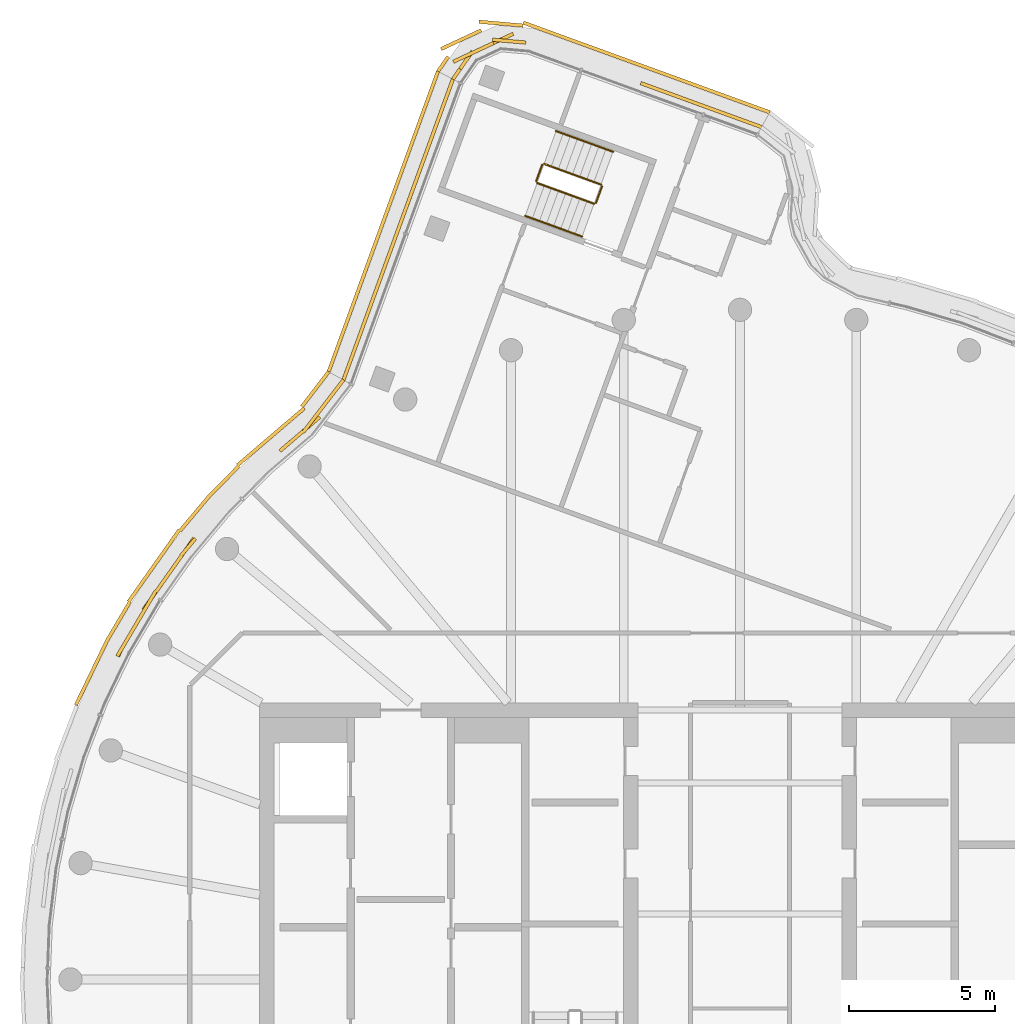
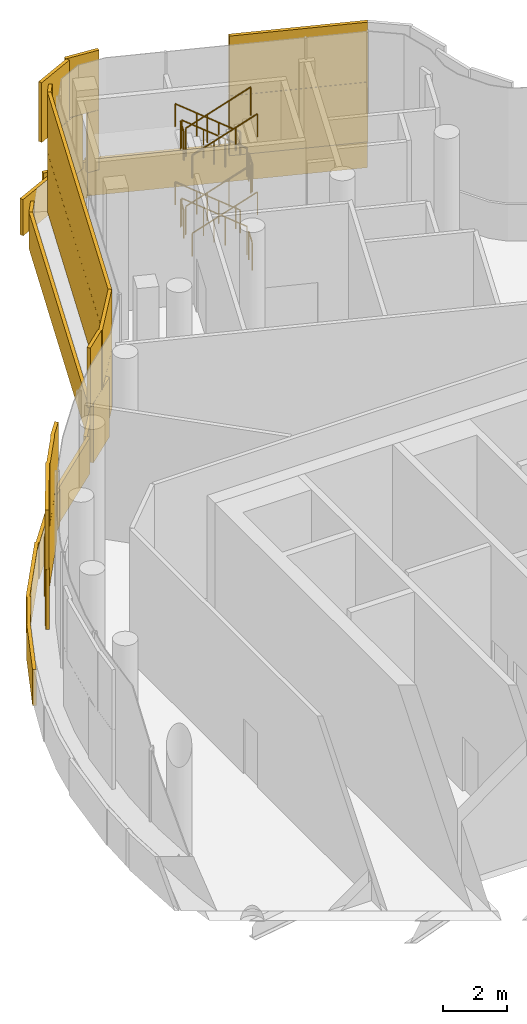
# One storey, part 17 of 18: 12 railings, 3 coverings.
"""IFC4 building model written with IfcOpenShell, lengths in metres."""

from ifc_helpers import new_model, si_unit, direction, frame, origin, origin_2d, place, context, subcontext, project, spatial, rectangle, circle, extrude, material, layer, layer_set, type_object, element, save


model = new_model("IFC4")

# Units and contexts
model_context = context("Model", 3, precision=1e-05, world=origin(), true_north=direction((0.0, 1.0)))
body_context = subcontext(model_context, "Body", "Model", "MODEL_VIEW")
ifc_project = project(units=[si_unit("LENGTHUNIT", "METRE"), si_unit("AREAUNIT", "SQUARE_METRE"), si_unit("VOLUMEUNIT", "CUBIC_METRE"), si_unit("PLANEANGLEUNIT", "RADIAN"), si_unit("MASSUNIT", "GRAM", prefix="KILO")], contexts=[model_context])

# Site, building, storey
site_placement = place(None, origin())
site = spatial("IfcSite", under=ifc_project, at=site_placement, CompositionType="ELEMENT")
building_placement = place(site_placement, origin())
building = spatial("IfcBuilding", under=site, at=building_placement, Name="Tamarind Cross Interchange Tower", CompositionType="ELEMENT")
storey_placement = place(building_placement, frame((0.0, 0.0, 299.39990234375)))
storey = spatial("IfcBuildingStorey", under=building, at=storey_placement, Name="L74", CompositionType="ELEMENT", Elevation=299.39990234375)

# Railings
ifc_material_1 = material(Name="Stair guard")
railing_type_1 = type_object("IfcRailingType", Name="Stair guard", PredefinedType="GUARDRAIL", material=ifc_material_1)
railing_1_placement = place(storey_placement, frame((-4.7744140625, 27.302490234375, 0.166748046875)))
element("IfcRailing", 1, at=railing_1_placement, inside=storey, type_object=railing_type_1, Name="L74 ST4 stair guard 1", PredefinedType="GUARDRAIL", context=body_context, shape_type="SweptSolid", body=[
    extrude(circle(Radius=0.02392578125, at=origin_2d()), frame((0.0, 0.0, 1.076171875), z_axis=(-0.791123895498, 0.287950915748, 0.539636221998), x_axis=(-0.342025771609, -0.939690572239, 0.0)), (0.0, 0.0, 1.0), 2.470703125),
    extrude(circle(Radius=0.02099609375, at=origin_2d()), origin(), (0.0, 0.0, 1.0), 1.052001953125),
    extrude(circle(Radius=0.02099609375, at=origin_2d()), frame((-0.651611328125, 0.237060546875, 0.4443359375)), (0.0, 0.0, 1.0), 1.052001953125),
    extrude(circle(Radius=0.02099609375, at=origin_2d()), frame((-1.302978515625, 0.474365234375, 0.888916015625)), (0.0, 0.0, 1.0), 1.052001953125),
    extrude(circle(Radius=0.02099609375, at=origin_2d()), frame((-1.95458984375, 0.71142578125, 1.333251953125)), (0.0, 0.0, 1.0), 1.052001953125),
])
railing_2_placement = place(storey_placement, frame((-6.793212890625, 27.984130859375, 1.5)))
element("IfcRailing", 2, at=railing_2_placement, inside=storey, type_object=railing_type_1, Name="L74 ST4 stair guard 2", PredefinedType="GUARDRAIL", context=body_context, shape_type="SweptSolid", body=[
    extrude(circle(Radius=0.02392578125, at=origin_2d()), frame((0.0, 0.0, 1.076171875), z_axis=(-0.341743063087, -0.939793423488, 0.0), x_axis=(0.939793423488, -0.341743063087, 0.0)), (0.0, 0.0, 1.0), 0.60009765625),
    extrude(circle(Radius=0.02099609375, at=origin_2d()), origin(), (0.0, 0.0, 1.0), 1.052001953125),
    extrude(circle(Radius=0.02099609375, at=origin_2d()), frame((-0.205078125, -0.56396484375, 0.0)), (0.0, 0.0, 1.0), 1.052001953125),
])
railing_3_placement = place(storey_placement, frame((-6.968505859375, 27.356201171875, 1.666748046875)))
element("IfcRailing", 3, at=railing_3_placement, inside=storey, type_object=railing_type_1, Name="L74 ST4 stair guard 3", PredefinedType="GUARDRAIL", context=body_context, shape_type="SweptSolid", body=[
    extrude(circle(Radius=0.02392578125, at=origin_2d()), frame((0.0, 0.0, 1.076171875), z_axis=(0.791123895498, -0.287950915748, 0.539636221998), x_axis=(0.342025771609, 0.939690572239, 0.0)), (0.0, 0.0, 1.0), 2.470703125),
    extrude(circle(Radius=0.02099609375, at=origin_2d()), origin(), (0.0, 0.0, 1.0), 1.052001953125),
    extrude(circle(Radius=0.02099609375, at=origin_2d()), frame((0.651611328125, -0.237060546875, 0.4443359375)), (0.0, 0.0, 1.0), 1.052001953125),
    extrude(circle(Radius=0.02099609375, at=origin_2d()), frame((1.302978515625, -0.474365234375, 0.888916015625)), (0.0, 0.0, 1.0), 1.052001953125),
    extrude(circle(Radius=0.02099609375, at=origin_2d()), frame((1.95458984375, -0.71142578125, 1.333251953125)), (0.0, 0.0, 1.0), 1.052001953125),
])
railing_4_placement = place(storey_placement, frame((-4.74462890625, 27.238525390625, 3.0)))
element("IfcRailing", 4, at=railing_4_placement, inside=storey, type_object=railing_type_1, Name="L74 ST4 stair guard 4", PredefinedType="GUARDRAIL", context=body_context, shape_type="SweptSolid", body=[
    extrude(circle(Radius=0.02392578125, at=origin_2d()), frame((0.0, 0.0, 1.076171875), z_axis=(-0.341743063087, -0.939793423488, 0.0), x_axis=(0.939793423488, -0.341743063087, 0.0)), (0.0, 0.0, 1.0), 0.60009765625),
    extrude(circle(Radius=0.02099609375, at=origin_2d()), origin(), (0.0, 0.0, 1.0), 1.052001953125),
    extrude(circle(Radius=0.02099609375, at=origin_2d()), frame((-0.205078125, -0.56396484375, 0.0)), (0.0, 0.0, 1.0), 1.052001953125),
])
railing_5_placement = place(storey_placement, frame((-4.7744140625, 27.302490234375, 3.166748046875)))
element("IfcRailing", 5, at=railing_5_placement, inside=storey, type_object=railing_type_1, Name="L74 ST4 stair guard 5", PredefinedType="GUARDRAIL", context=body_context, shape_type="SweptSolid", body=[
    extrude(circle(Radius=0.02392578125, at=origin_2d()), frame((0.0, 0.0, 1.076171875), z_axis=(-0.791123895498, 0.287950915748, 0.539636221998), x_axis=(-0.342025771609, -0.939690572239, 0.0)), (0.0, 0.0, 1.0), 2.470703125),
    extrude(circle(Radius=0.02099609375, at=origin_2d()), origin(), (0.0, 0.0, 1.0), 1.052001953125),
    extrude(circle(Radius=0.02099609375, at=origin_2d()), frame((-0.651611328125, 0.237060546875, 0.4443359375)), (0.0, 0.0, 1.0), 1.052001953125),
    extrude(circle(Radius=0.02099609375, at=origin_2d()), frame((-1.302978515625, 0.474365234375, 0.888916015625)), (0.0, 0.0, 1.0), 1.052001953125),
    extrude(circle(Radius=0.02099609375, at=origin_2d()), frame((-1.95458984375, 0.71142578125, 1.333251953125)), (0.0, 0.0, 1.0), 1.052001953125),
])
railing_6_placement = place(storey_placement, frame((-6.793212890625, 27.984130859375, 4.5)))
element("IfcRailing", 6, at=railing_6_placement, inside=storey, type_object=railing_type_1, Name="L74 ST4 stair guard 6", PredefinedType="GUARDRAIL", context=body_context, shape_type="SweptSolid", body=[
    extrude(circle(Radius=0.02392578125, at=origin_2d()), frame((0.0, 0.0, 1.076171875), z_axis=(-0.341743063087, -0.939793423488, 0.0), x_axis=(0.939793423488, -0.341743063087, 0.0)), (0.0, 0.0, 1.0), 0.60009765625),
    extrude(circle(Radius=0.02099609375, at=origin_2d()), origin(), (0.0, 0.0, 1.0), 1.052001953125),
    extrude(circle(Radius=0.02099609375, at=origin_2d()), frame((-0.205078125, -0.56396484375, 0.0)), (0.0, 0.0, 1.0), 1.052001953125),
])
railing_7_placement = place(storey_placement, frame((-6.968505859375, 27.356201171875, 4.666748046875)))
element("IfcRailing", 7, at=railing_7_placement, inside=storey, type_object=railing_type_1, Name="L74 ST4 stair guard 7", PredefinedType="GUARDRAIL", context=body_context, shape_type="SweptSolid", body=[
    extrude(circle(Radius=0.02392578125, at=origin_2d()), frame((0.0, 0.0, 1.076171875), z_axis=(0.791123895498, -0.287950915748, 0.539636221998), x_axis=(0.342025771609, 0.939690572239, 0.0)), (0.0, 0.0, 1.0), 2.470703125),
    extrude(circle(Radius=0.02099609375, at=origin_2d()), origin(), (0.0, 0.0, 1.0), 1.052001953125),
    extrude(circle(Radius=0.02099609375, at=origin_2d()), frame((0.651611328125, -0.237060546875, 0.4443359375)), (0.0, 0.0, 1.0), 1.052001953125),
    extrude(circle(Radius=0.02099609375, at=origin_2d()), frame((1.302978515625, -0.474365234375, 0.888916015625)), (0.0, 0.0, 1.0), 1.052001953125),
    extrude(circle(Radius=0.02099609375, at=origin_2d()), frame((1.95458984375, -0.71142578125, 1.333251953125)), (0.0, 0.0, 1.0), 1.052001953125),
])
railing_8_placement = place(storey_placement, frame((-4.74462890625, 27.238525390625, 0.0)))
element("IfcRailing", 8, at=railing_8_placement, inside=storey, type_object=railing_type_1, Name="L74 ST4 stair guard 8", PredefinedType="GUARDRAIL", context=body_context, shape_type="SweptSolid", body=[
    extrude(circle(Radius=0.02392578125, at=origin_2d()), frame((0.0, 0.0, 1.076171875), z_axis=(-0.341743063087, -0.939793423488, 0.0), x_axis=(0.939793423488, -0.341743063087, 0.0)), (0.0, 0.0, 1.0), 0.60009765625),
    extrude(circle(Radius=0.02099609375, at=origin_2d()), origin(), (0.0, 0.0, 1.0), 1.052001953125),
    extrude(circle(Radius=0.02099609375, at=origin_2d()), frame((-0.205078125, -0.56396484375, 0.0)), (0.0, 0.0, 1.0), 1.052001953125),
])
ifc_material_2 = material(Name="Stair handrail")
railing_type_2 = type_object("IfcRailingType", Name="Stair handrail", PredefinedType="HANDRAIL", material=ifc_material_2)
railing_9_placement = place(storey_placement, frame((-4.364013671875, 28.43017578125, 0.166748046875)))
element("IfcRailing", 9, at=railing_9_placement, inside=storey, type_object=railing_type_2, Name="L74 ST4 stair handrail 1", PredefinedType="HANDRAIL", context=body_context, shape_type="SweptSolid", body=[
    extrude(circle(Radius=0.02392578125, at=origin_2d()), frame((0.0, 0.0, 0.8759765625), z_axis=(-0.791123895498, 0.287950915748, 0.539636221998), x_axis=(-0.342025771609, -0.939690572239, 0.0)), (0.0, 0.0, 1.0), 2.470703125),
    extrude(circle(Radius=0.02099609375, at=origin_2d()), origin(), (0.0, 0.0, 1.0), 0.851806640625),
    extrude(circle(Radius=0.02099609375, at=origin_2d()), frame((-0.651611328125, 0.237060546875, 0.4443359375)), (0.0, 0.0, 1.0), 0.851806640625),
    extrude(circle(Radius=0.02099609375, at=origin_2d()), frame((-1.302978515625, 0.474365234375, 0.888916015625)), (0.0, 0.0, 1.0), 0.851806640625),
    extrude(circle(Radius=0.02099609375, at=origin_2d()), frame((-1.95458984375, 0.71142578125, 1.333251953125)), (0.0, 0.0, 1.0), 0.851806640625),
])
railing_10_placement = place(storey_placement, frame((-7.37890625, 26.228515625, 1.666748046875)))
element("IfcRailing", 10, at=railing_10_placement, inside=storey, type_object=railing_type_2, Name="L74 ST4 stair handrail 2", PredefinedType="HANDRAIL", context=body_context, shape_type="SweptSolid", body=[
    extrude(circle(Radius=0.02392578125, at=origin_2d()), frame((0.0, 0.0, 0.8759765625), z_axis=(0.791123895498, -0.287950915748, 0.539636221998), x_axis=(0.342025771609, 0.939690572239, 0.0)), (0.0, 0.0, 1.0), 2.470703125),
    extrude(circle(Radius=0.02099609375, at=origin_2d()), origin(), (0.0, 0.0, 1.0), 0.851806640625),
    extrude(circle(Radius=0.02099609375, at=origin_2d()), frame((0.651611328125, -0.237060546875, 0.4443359375)), (0.0, 0.0, 1.0), 0.851806640625),
    extrude(circle(Radius=0.02099609375, at=origin_2d()), frame((1.302978515625, -0.474365234375, 0.888916015625)), (0.0, 0.0, 1.0), 0.851806640625),
    extrude(circle(Radius=0.02099609375, at=origin_2d()), frame((1.95458984375, -0.71142578125, 1.333251953125)), (0.0, 0.0, 1.0), 0.851806640625),
])
railing_11_placement = place(storey_placement, frame((-4.364013671875, 28.43017578125, 3.166748046875)))
element("IfcRailing", 11, at=railing_11_placement, inside=storey, type_object=railing_type_2, Name="L74 ST4 stair handrail 3", PredefinedType="HANDRAIL", context=body_context, shape_type="SweptSolid", body=[
    extrude(circle(Radius=0.02392578125, at=origin_2d()), frame((0.0, 0.0, 0.8759765625), z_axis=(-0.791123895498, 0.287950915748, 0.539636221998), x_axis=(-0.342025771609, -0.939690572239, 0.0)), (0.0, 0.0, 1.0), 2.470703125),
    extrude(circle(Radius=0.02099609375, at=origin_2d()), origin(), (0.0, 0.0, 1.0), 0.851806640625),
    extrude(circle(Radius=0.02099609375, at=origin_2d()), frame((-0.651611328125, 0.237060546875, 0.4443359375)), (0.0, 0.0, 1.0), 0.851806640625),
    extrude(circle(Radius=0.02099609375, at=origin_2d()), frame((-1.302978515625, 0.474365234375, 0.888916015625)), (0.0, 0.0, 1.0), 0.851806640625),
    extrude(circle(Radius=0.02099609375, at=origin_2d()), frame((-1.95458984375, 0.71142578125, 1.333251953125)), (0.0, 0.0, 1.0), 0.851806640625),
])
railing_12_placement = place(storey_placement, frame((-7.37890625, 26.228515625, 4.666748046875)))
element("IfcRailing", 12, at=railing_12_placement, inside=storey, type_object=railing_type_2, Name="L74 ST4 stair handrail 4", PredefinedType="HANDRAIL", context=body_context, shape_type="SweptSolid", body=[
    extrude(circle(Radius=0.02392578125, at=origin_2d()), frame((0.0, 0.0, 0.8759765625), z_axis=(0.791123895498, -0.287950915748, 0.539636221998), x_axis=(0.342025771609, 0.939690572239, 0.0)), (0.0, 0.0, 1.0), 2.470703125),
    extrude(circle(Radius=0.02099609375, at=origin_2d()), origin(), (0.0, 0.0, 1.0), 0.851806640625),
    extrude(circle(Radius=0.02099609375, at=origin_2d()), frame((0.651611328125, -0.237060546875, 0.4443359375)), (0.0, 0.0, 1.0), 0.851806640625),
    extrude(circle(Radius=0.02099609375, at=origin_2d()), frame((1.302978515625, -0.474365234375, 0.888916015625)), (0.0, 0.0, 1.0), 0.851806640625),
    extrude(circle(Radius=0.02099609375, at=origin_2d()), frame((1.95458984375, -0.71142578125, 1.333251953125)), (0.0, 0.0, 1.0), 0.851806640625),
])

# Coverings
ifc_material_3 = material(Name="Terracotta", Category="masonry")
ifc_layer = layer(ifc_material_3, 0.1201171875)
ifc_layer_set = layer_set([ifc_layer], Name="Terracotta")
covering_type = type_object("IfcCoveringType", Name="Terracotta baguette screen unit", PredefinedType="MOLDING", material=ifc_layer_set)
covering_1_placement = place(storey_placement, origin())
element("IfcCovering", 13, at=covering_1_placement, inside=storey, type_object=covering_type, Name="SCR-L74-00-00", PredefinedType="MOLDING", context=body_context, shape_type="SweptSolid", body=[
    extrude(rectangle(XDim=1.510009765625, YDim=0.1201171875, at=origin_2d()), frame((0.032470703125, 29.533203125, 1.404052734375), z_axis=(0.0, 0.0, 1.0), x_axis=(-0.939702171424, 0.341993902024, 0.0)), (0.0, 0.0, 1.0), 2.2919921875),
    extrude(rectangle(XDim=1.52001953125, YDim=0.1201171875, at=origin_2d()), frame((-1.377197265625, 30.046142578125, 1.404052734375), z_axis=(0.0, 0.0, 1.0), x_axis=(-0.939702171424, 0.341993902024, 0.0)), (0.0, 0.0, 1.0), 2.2919921875),
    extrude(rectangle(XDim=1.419921875, YDim=0.1201171875, at=origin_2d()), frame((-2.744384765625, 30.543701171875, 1.404052734375), z_axis=(0.0, 0.0, 1.0), x_axis=(-0.939702171424, 0.341993902024, 0.0)), (0.0, 0.0, 1.0), 2.2919921875),
    extrude(rectangle(XDim=0.39990234375, YDim=0.1201171875, at=origin_2d()), frame((-7.55712890625, 32.1962890625, 1.404052734375), z_axis=(0.0, 0.0, 1.0), x_axis=(-0.996197131551, 0.08712792371, 0.0)), (0.0, 0.0, 1.0), 2.2919921875),
    extrude(rectangle(XDim=1.52001953125, YDim=0.1201171875, at=origin_2d()), frame((-8.4775390625, 32.159423828125, 1.404052734375), z_axis=(0.0, 0.0, 1.0), x_axis=(-0.906295984955, -0.422643570464, 0.0)), (0.0, 0.0, 1.0), 2.2919921875),
    extrude(rectangle(XDim=1.18115234375, YDim=0.1201171875, at=origin_2d()), frame((-9.5263671875, 31.40234375, 1.404052734375), z_axis=(0.0, 0.0, 1.0), x_axis=(-0.573553561087, -0.819168061245, 0.0)), (0.0, 0.0, 1.0), 2.2919921875),
    extrude(rectangle(XDim=0.760009765625, YDim=0.1201171875, at=origin_2d()), frame((0.384765625, 29.40478515625, 3.7041015625), z_axis=(0.0, 0.0, 1.0), x_axis=(-0.939702171424, 0.341993902024, 0.0)), (0.0, 0.0, 1.0), 2.2919921875),
    extrude(rectangle(XDim=1.52001953125, YDim=0.1201171875, at=origin_2d()), frame((-0.67236328125, 29.78955078125, 3.7041015625), z_axis=(0.0, 0.0, 1.0), x_axis=(-0.939702171424, 0.341993902024, 0.0)), (0.0, 0.0, 1.0), 2.2919921875),
    extrude(rectangle(XDim=1.52001953125, YDim=0.1201171875, at=origin_2d()), frame((-2.081787109375, 30.302734375, 3.7041015625), z_axis=(0.0, 0.0, 1.0), x_axis=(-0.939702171424, 0.341993902024, 0.0)), (0.0, 0.0, 1.0), 2.2919921875),
    extrude(rectangle(XDim=0.669921875, YDim=0.1201171875, at=origin_2d()), frame((-3.0966796875, 30.671875, 3.7041015625), z_axis=(0.0, 0.0, 1.0), x_axis=(-0.939702171424, 0.341993902024, 0.0)), (0.0, 0.0, 1.0), 2.2919921875),
    extrude(rectangle(XDim=1.14990234375, YDim=0.1201171875, at=origin_2d()), frame((-7.9306640625, 32.228759765625, 3.7041015625), z_axis=(0.0, 0.0, 1.0), x_axis=(-0.996197131551, 0.08712792371, 0.0)), (0.0, 0.0, 1.0), 2.2919921875),
    extrude(rectangle(XDim=1.52001953125, YDim=0.1201171875, at=origin_2d()), frame((-9.1572265625, 31.842529296875, 3.7041015625), z_axis=(0.0, 0.0, 1.0), x_axis=(-0.906295984955, -0.422643570464, 0.0)), (0.0, 0.0, 1.0), 2.2919921875),
    extrude(rectangle(XDim=0.43115234375, YDim=0.1201171875, at=origin_2d()), frame((-9.741455078125, 31.09521484375, 3.7041015625), z_axis=(0.0, 0.0, 1.0), x_axis=(-0.573553561087, -0.819168061245, 0.0)), (0.0, 0.0, 1.0), 2.2919921875),
    extrude(rectangle(XDim=1.510009765625, YDim=0.1201171875, at=origin_2d()), frame((0.3115234375, 30.04248046875, 0.004150390625), z_axis=(0.0, 0.0, 1.0), x_axis=(-0.939702171424, 0.341993902024, 0.0)), (0.0, 0.0, 1.0), 1.39208984375),
    extrude(rectangle(XDim=1.52001953125, YDim=0.1201171875, at=origin_2d()), frame((-1.093505859375, 30.5537109375, 0.004150390625), z_axis=(0.0, 0.0, 1.0), x_axis=(-0.939702171424, 0.341993902024, 0.0)), (0.0, 0.0, 1.0), 1.39208984375),
    extrude(rectangle(XDim=1.52001953125, YDim=0.1201171875, at=origin_2d()), frame((-2.5029296875, 31.066650390625, 0.004150390625), z_axis=(0.0, 0.0, 1.0), x_axis=(-0.939702171424, 0.341993902024, 0.0)), (0.0, 0.0, 1.0), 1.39208984375),
    extrude(rectangle(XDim=1.52001953125, YDim=0.1201171875, at=origin_2d()), frame((-3.91259765625, 31.57958984375, 0.004150390625), z_axis=(0.0, 0.0, 1.0), x_axis=(-0.939702171424, 0.341993902024, 0.0)), (0.0, 0.0, 1.0), 1.39208984375),
    extrude(rectangle(XDim=1.52001953125, YDim=0.1201171875, at=origin_2d()), frame((-5.322021484375, 32.0927734375, 0.004150390625), z_axis=(0.0, 0.0, 1.0), x_axis=(-0.939702171424, 0.341993902024, 0.0)), (0.0, 0.0, 1.0), 1.39208984375),
    extrude(rectangle(XDim=1.52001953125, YDim=0.1201171875, at=origin_2d()), frame((-6.731689453125, 32.605712890625, 0.004150390625), z_axis=(0.0, 0.0, 1.0), x_axis=(-0.939702171424, 0.341993902024, 0.0)), (0.0, 0.0, 1.0), 1.39208984375),
    extrude(rectangle(XDim=1.52001953125, YDim=0.1201171875, at=origin_2d()), frame((-8.205322265625, 32.8291015625, 0.004150390625), z_axis=(0.0, 0.0, 1.0), x_axis=(-0.996197131551, 0.08712792371, 0.0)), (0.0, 0.0, 1.0), 1.39208984375),
    extrude(rectangle(XDim=1.52001953125, YDim=0.1201171875, at=origin_2d()), frame((-9.57958984375, 32.27880859375, 0.004150390625), z_axis=(0.0, 0.0, 1.0), x_axis=(-0.906295984955, -0.422643570464, 0.0)), (0.0, 0.0, 1.0), 1.39208984375),
    extrude(rectangle(XDim=0.615966796875, YDim=0.1201171875, at=origin_2d()), frame((-10.19921875, 31.4423828125, 0.004150390625), z_axis=(0.0, 0.0, 1.0), x_axis=(-0.573553561087, -0.819168061245, 0.0)), (0.0, 0.0, 1.0), 1.39208984375),
])
covering_2_placement = place(storey_placement, origin())
element("IfcCovering", 14, at=covering_2_placement, inside=storey, type_object=covering_type, Name="SCR-L74-01-00", PredefinedType="MOLDING", context=body_context, shape_type="SweptSolid", body=[
    extrude(rectangle(XDim=1.510009765625, YDim=0.1201171875, at=origin_2d()), frame((-10.11865234375, 30.218017578125, 1.404052734375), z_axis=(0.0, 0.0, 1.0), x_axis=(-0.341993902024, -0.939702171424, 0.0)), (0.0, 0.0, 1.0), 2.2919921875),
    extrude(rectangle(XDim=1.52001953125, YDim=0.1201171875, at=origin_2d()), frame((-10.6318359375, 28.808349609375, 1.404052734375), z_axis=(0.0, 0.0, 1.0), x_axis=(-0.341993902024, -0.939702171424, 0.0)), (0.0, 0.0, 1.0), 2.2919921875),
    extrude(rectangle(XDim=1.52001953125, YDim=0.1201171875, at=origin_2d()), frame((-11.144775390625, 27.39892578125, 1.404052734375), z_axis=(0.0, 0.0, 1.0), x_axis=(-0.341993902024, -0.939702171424, 0.0)), (0.0, 0.0, 1.0), 2.2919921875),
    extrude(rectangle(XDim=1.52001953125, YDim=0.1201171875, at=origin_2d()), frame((-11.65771484375, 25.9892578125, 1.404052734375), z_axis=(0.0, 0.0, 1.0), x_axis=(-0.341993902024, -0.939702171424, 0.0)), (0.0, 0.0, 1.0), 2.2919921875),
    extrude(rectangle(XDim=1.52001953125, YDim=0.1201171875, at=origin_2d()), frame((-12.170654296875, 24.579833984375, 1.404052734375), z_axis=(0.0, 0.0, 1.0), x_axis=(-0.341993902024, -0.939702171424, 0.0)), (0.0, 0.0, 1.0), 2.2919921875),
    extrude(rectangle(XDim=1.52001953125, YDim=0.1201171875, at=origin_2d()), frame((-12.683837890625, 23.170166015625, 1.404052734375), z_axis=(0.0, 0.0, 1.0), x_axis=(-0.341993902024, -0.939702171424, 0.0)), (0.0, 0.0, 1.0), 2.2919921875),
    extrude(rectangle(XDim=1.52001953125, YDim=0.1201171875, at=origin_2d()), frame((-13.19677734375, 21.760498046875, 1.404052734375), z_axis=(0.0, 0.0, 1.0), x_axis=(-0.341993902024, -0.939702171424, 0.0)), (0.0, 0.0, 1.0), 2.2919921875),
    extrude(rectangle(XDim=0.50439453125, YDim=0.1201171875, at=origin_2d()), frame((-13.537841796875, 20.823486328125, 1.404052734375), z_axis=(0.0, 0.0, 1.0), x_axis=(-0.341993902024, -0.939702171424, 0.0)), (0.0, 0.0, 1.0), 2.2919921875),
    extrude(rectangle(XDim=0.760009765625, YDim=0.1201171875, at=origin_2d()), frame((-9.990478515625, 30.5703125, 3.7041015625), z_axis=(0.0, 0.0, 1.0), x_axis=(-0.341993902024, -0.939702171424, 0.0)), (0.0, 0.0, 1.0), 2.2919921875),
    extrude(rectangle(XDim=1.52001953125, YDim=0.1201171875, at=origin_2d()), frame((-10.375244140625, 29.51318359375, 3.7041015625), z_axis=(0.0, 0.0, 1.0), x_axis=(-0.341993902024, -0.939702171424, 0.0)), (0.0, 0.0, 1.0), 2.2919921875),
    extrude(rectangle(XDim=1.52001953125, YDim=0.1201171875, at=origin_2d()), frame((-10.88818359375, 28.103515625, 3.7041015625), z_axis=(0.0, 0.0, 1.0), x_axis=(-0.341993902024, -0.939702171424, 0.0)), (0.0, 0.0, 1.0), 2.2919921875),
    extrude(rectangle(XDim=1.52001953125, YDim=0.1201171875, at=origin_2d()), frame((-11.4013671875, 26.694091796875, 3.7041015625), z_axis=(0.0, 0.0, 1.0), x_axis=(-0.341993902024, -0.939702171424, 0.0)), (0.0, 0.0, 1.0), 2.2919921875),
    extrude(rectangle(XDim=1.52001953125, YDim=0.1201171875, at=origin_2d()), frame((-11.914306640625, 25.284423828125, 3.7041015625), z_axis=(0.0, 0.0, 1.0), x_axis=(-0.341993902024, -0.939702171424, 0.0)), (0.0, 0.0, 1.0), 2.2919921875),
    extrude(rectangle(XDim=1.52001953125, YDim=0.1201171875, at=origin_2d()), frame((-12.42724609375, 23.875, 3.7041015625), z_axis=(0.0, 0.0, 1.0), x_axis=(-0.341993902024, -0.939702171424, 0.0)), (0.0, 0.0, 1.0), 2.2919921875),
    extrude(rectangle(XDim=1.52001953125, YDim=0.1201171875, at=origin_2d()), frame((-12.940185546875, 22.46533203125, 3.7041015625), z_axis=(0.0, 0.0, 1.0), x_axis=(-0.341993902024, -0.939702171424, 0.0)), (0.0, 0.0, 1.0), 2.2919921875),
    extrude(rectangle(XDim=1.25439453125, YDim=0.1201171875, at=origin_2d()), frame((-13.409423828125, 21.176025390625, 3.7041015625), z_axis=(0.0, 0.0, 1.0), x_axis=(-0.341993902024, -0.939702171424, 0.0)), (0.0, 0.0, 1.0), 2.2919921875),
    extrude(rectangle(XDim=1.510009765625, YDim=0.1201171875, at=origin_2d()), frame((-10.634033203125, 30.48046875, 0.004150390625), z_axis=(0.0, 0.0, 1.0), x_axis=(-0.341993902024, -0.939702171424, 0.0)), (0.0, 0.0, 1.0), 1.39208984375),
    extrude(rectangle(XDim=1.52001953125, YDim=0.1201171875, at=origin_2d()), frame((-11.145263671875, 29.07568359375, 0.004150390625), z_axis=(0.0, 0.0, 1.0), x_axis=(-0.341993902024, -0.939702171424, 0.0)), (0.0, 0.0, 1.0), 1.39208984375),
    extrude(rectangle(XDim=1.52001953125, YDim=0.1201171875, at=origin_2d()), frame((-11.658203125, 27.666259765625, 0.004150390625), z_axis=(0.0, 0.0, 1.0), x_axis=(-0.341993902024, -0.939702171424, 0.0)), (0.0, 0.0, 1.0), 1.39208984375),
    extrude(rectangle(XDim=1.52001953125, YDim=0.1201171875, at=origin_2d()), frame((-12.17138671875, 26.256591796875, 0.004150390625), z_axis=(0.0, 0.0, 1.0), x_axis=(-0.341993902024, -0.939702171424, 0.0)), (0.0, 0.0, 1.0), 1.39208984375),
    extrude(rectangle(XDim=1.52001953125, YDim=0.1201171875, at=origin_2d()), frame((-12.684326171875, 24.846923828125, 0.004150390625), z_axis=(0.0, 0.0, 1.0), x_axis=(-0.341993902024, -0.939702171424, 0.0)), (0.0, 0.0, 1.0), 1.39208984375),
    extrude(rectangle(XDim=1.52001953125, YDim=0.1201171875, at=origin_2d()), frame((-13.197265625, 23.4375, 0.004150390625), z_axis=(0.0, 0.0, 1.0), x_axis=(-0.341993902024, -0.939702171424, 0.0)), (0.0, 0.0, 1.0), 1.39208984375),
    extrude(rectangle(XDim=1.52001953125, YDim=0.1201171875, at=origin_2d()), frame((-13.710205078125, 22.02783203125, 0.004150390625), z_axis=(0.0, 0.0, 1.0), x_axis=(-0.341993902024, -0.939702171424, 0.0)), (0.0, 0.0, 1.0), 1.39208984375),
    extrude(rectangle(XDim=0.491455078125, YDim=0.1201171875, at=origin_2d()), frame((-14.04736328125, 21.1015625, 0.004150390625), z_axis=(0.0, 0.0, 1.0), x_axis=(-0.341993902024, -0.939702171424, 0.0)), (0.0, 0.0, 1.0), 1.39208984375),
])
covering_3_placement = place(storey_placement, origin())
element("IfcCovering", 15, at=covering_3_placement, inside=storey, type_object=covering_type, Name="SCR-L74-02-00", PredefinedType="MOLDING", context=body_context, shape_type="SweptSolid", body=[
    extrude(rectangle(XDim=1.510009765625, YDim=0.1201171875, at=origin_2d()), frame((-14.079345703125, 19.99658203125, 1.404052734375), z_axis=(0.0, 0.0, 1.0), x_axis=(-0.609385765256, -0.792873879695, 0.0)), (0.0, 0.0, 1.0), 2.2919921875),
    extrude(rectangle(XDim=1.52001953125, YDim=0.1201171875, at=origin_2d()), frame((-15.01318359375, 18.826171875, 1.404052734375), z_axis=(0.0, 0.0, 1.0), x_axis=(-0.760243088751, -0.649638704209, 0.0)), (0.0, 0.0, 1.0), 2.2919921875),
    extrude(rectangle(XDim=1.52001953125, YDim=0.1201171875, at=origin_2d()), frame((-19.19140625, 14.54150390625, 1.404052734375), z_axis=(0.0, 0.0, 1.0), x_axis=(-0.577568978284, -0.816341886298, 0.0)), (0.0, 0.0, 1.0), 2.2919921875),
    extrude(rectangle(XDim=1.52001953125, YDim=0.1201171875, at=origin_2d()), frame((-20.0576171875, 13.317138671875, 1.404052734375), z_axis=(0.0, 0.0, 1.0), x_axis=(-0.577568978284, -0.816341886298, 0.0)), (0.0, 0.0, 1.0), 2.2919921875),
    extrude(rectangle(XDim=1.52001953125, YDim=0.1201171875, at=origin_2d()), frame((-20.839599609375, 12.037841796875, 1.404052734375), z_axis=(0.0, 0.0, 1.0), x_axis=(-0.508183308752, -0.861248933065, 0.0)), (0.0, 0.0, 1.0), 2.2919921875),
    extrude(rectangle(XDim=0.3369140625, YDim=0.1201171875, at=origin_2d()), frame((-21.29345703125, 11.24560546875, 1.404052734375), z_axis=(0.0, 0.0, 1.0), x_axis=(-0.435326231914, -0.900272776334, 0.0)), (0.0, 0.0, 1.0), 2.2919921875),
    extrude(rectangle(XDim=0.760009765625, YDim=0.1201171875, at=origin_2d()), frame((-13.850830078125, 20.2939453125, 3.7041015625), z_axis=(0.0, 0.0, 1.0), x_axis=(-0.609385765256, -0.792873879695, 0.0)), (0.0, 0.0, 1.0), 2.2919921875),
    extrude(rectangle(XDim=1.52001953125, YDim=0.1201171875, at=origin_2d()), frame((-14.536376953125, 19.40185546875, 3.7041015625), z_axis=(0.0, 0.0, 1.0), x_axis=(-0.609385765256, -0.792873879695, 0.0)), (0.0, 0.0, 1.0), 2.2919921875),
    extrude(rectangle(XDim=1.044189453125, YDim=0.1201171875, at=origin_2d()), frame((-15.40625, 18.489990234375, 3.7041015625), z_axis=(0.0, 0.0, 1.0), x_axis=(-0.760243088751, -0.649638704209, 0.0)), (0.0, 0.0, 1.0), 2.2919921875),
    extrude(rectangle(XDim=0.775634765625, YDim=0.1201171875, at=origin_2d()), frame((-18.958740234375, 14.845458984375, 3.7041015625), z_axis=(0.0, 0.0, 1.0), x_axis=(-0.643009266048, -0.765858396687, 0.0)), (0.0, 0.0, 1.0), 2.2919921875),
    extrude(rectangle(XDim=1.52001953125, YDim=0.1201171875, at=origin_2d()), frame((-19.62451171875, 13.929443359375, 3.7041015625), z_axis=(0.0, 0.0, 1.0), x_axis=(-0.577568978284, -0.816341886298, 0.0)), (0.0, 0.0, 1.0), 2.2919921875),
    extrude(rectangle(XDim=1.52001953125, YDim=0.1201171875, at=origin_2d()), frame((-20.458251953125, 12.683837890625, 3.7041015625), z_axis=(0.0, 0.0, 1.0), x_axis=(-0.508183308752, -0.861248933065, 0.0)), (0.0, 0.0, 1.0), 2.2919921875),
    extrude(rectangle(XDim=1.0869140625, YDim=0.1201171875, at=origin_2d()), frame((-21.113037109375, 11.57421875, 3.7041015625), z_axis=(0.0, 0.0, 1.0), x_axis=(-0.508183308752, -0.861248933065, 0.0)), (0.0, 0.0, 1.0), 2.2919921875),
    extrude(rectangle(XDim=1.510009765625, YDim=0.1201171875, at=origin_2d()), frame((-14.591552734375, 20.272216796875, 0.004150390625), z_axis=(0.0, 0.0, 1.0), x_axis=(-0.609385765256, -0.792873879695, 0.0)), (0.0, 0.0, 1.0), 1.39208984375),
    extrude(rectangle(XDim=1.52001953125, YDim=0.1201171875, at=origin_2d()), frame((-15.544677734375, 19.126953125, 0.004150390625), z_axis=(0.0, 0.0, 1.0), x_axis=(-0.760243088751, -0.649638704209, 0.0)), (0.0, 0.0, 1.0), 1.39208984375),
    extrude(rectangle(XDim=1.52001953125, YDim=0.1201171875, at=origin_2d()), frame((-16.68505859375, 18.15234375, 0.004150390625), z_axis=(0.0, 0.0, 1.0), x_axis=(-0.760243088751, -0.649638704209, 0.0)), (0.0, 0.0, 1.0), 1.39208984375),
    extrude(rectangle(XDim=1.52001953125, YDim=0.1201171875, at=origin_2d()), frame((-17.748291015625, 17.0947265625, 0.004150390625), z_axis=(0.0, 0.0, 1.0), x_axis=(-0.704057148523, -0.710143317658, 0.0)), (0.0, 0.0, 1.0), 1.39208984375),
    extrude(rectangle(XDim=1.52001953125, YDim=0.1201171875, at=origin_2d()), frame((-18.753173828125, 15.98291015625, 0.004150390625), z_axis=(0.0, 0.0, 1.0), x_axis=(-0.643009266048, -0.765858396687, 0.0)), (0.0, 0.0, 1.0), 1.39208984375),
    extrude(rectangle(XDim=1.52001953125, YDim=0.1201171875, at=origin_2d()), frame((-19.6982421875, 14.819091796875, 0.004150390625), z_axis=(0.0, 0.0, 1.0), x_axis=(-0.577568978284, -0.816341886298, 0.0)), (0.0, 0.0, 1.0), 1.39208984375),
    extrude(rectangle(XDim=1.52001953125, YDim=0.1201171875, at=origin_2d()), frame((-20.564453125, 13.594482421875, 0.004150390625), z_axis=(0.0, 0.0, 1.0), x_axis=(-0.577568978284, -0.816341886298, 0.0)), (0.0, 0.0, 1.0), 1.39208984375),
    extrude(rectangle(XDim=1.52001953125, YDim=0.1201171875, at=origin_2d()), frame((-21.343505859375, 12.3134765625, 0.004150390625), z_axis=(0.0, 0.0, 1.0), x_axis=(-0.508183308752, -0.861248933065, 0.0)), (0.0, 0.0, 1.0), 1.39208984375),
    extrude(rectangle(XDim=1.52001953125, YDim=0.1201171875, at=origin_2d()), frame((-22.052978515625, 10.993408203125, 0.004150390625), z_axis=(0.0, 0.0, 1.0), x_axis=(-0.435326231914, -0.900272776334, 0.0)), (0.0, 0.0, 1.0), 1.39208984375),
    extrude(rectangle(XDim=0.999267578125, YDim=0.1201171875, at=origin_2d()), frame((-22.5927734375, 9.87744140625, 0.004150390625), z_axis=(0.0, 0.0, 1.0), x_axis=(-0.435326231914, -0.900272776334, 0.0)), (0.0, 0.0, 1.0), 1.39208984375),
])

save(model, "model.ifc")
